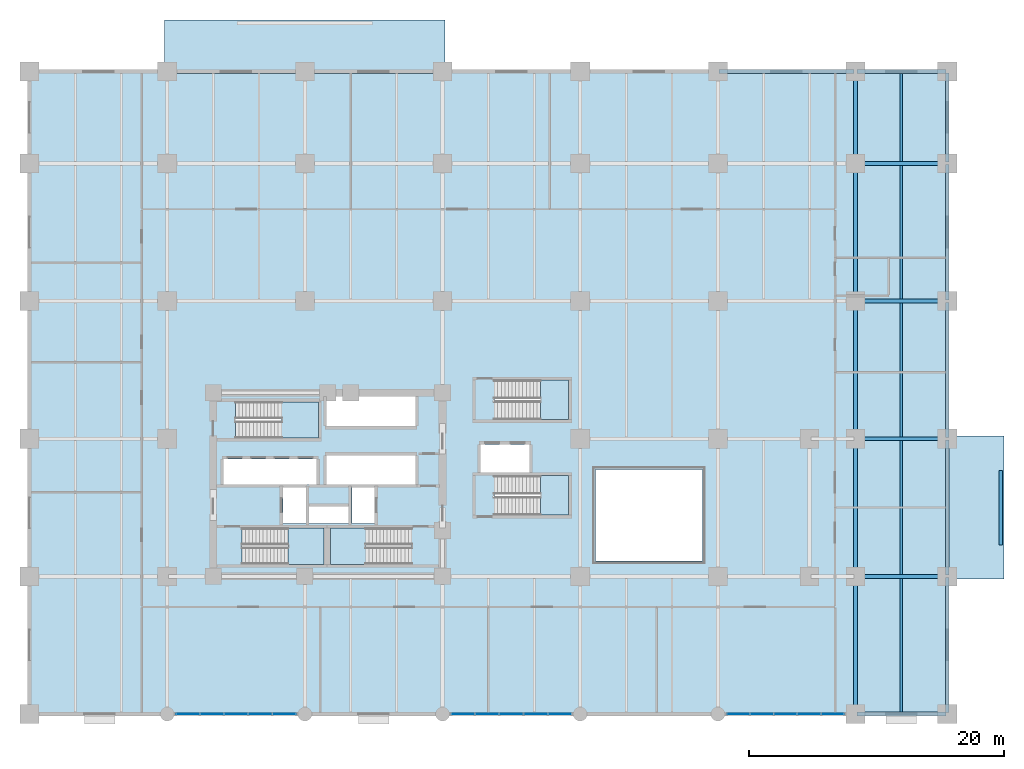
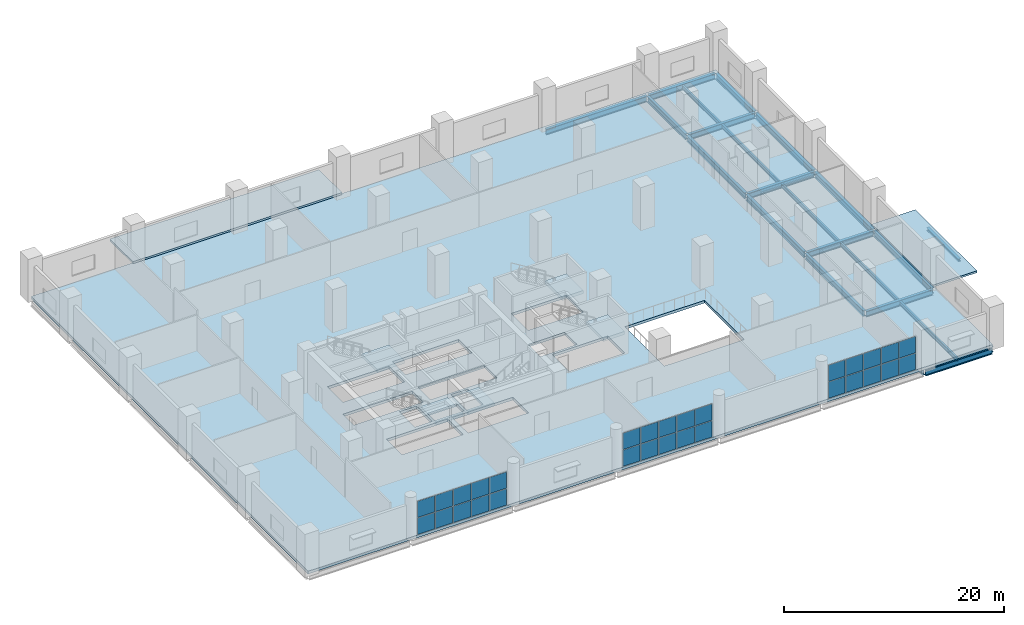
# One storey, part 9 of 16: 30 plates, 23 beams, 8 slabs, 8 elements without a shape of their own.
"""IFC4 building model written with IfcOpenShell, lengths in metres."""

from ifc_helpers import new_model, si_unit, direction, frame, origin, origin_2d, place, context, subcontext, project, spatial, polyline, rectangle, i_section, outline, extrude, material, layer, layer_set, material_profile, profile_set, type_object, element, aggregate, save


model = new_model("IFC4")

# Units and contexts
model_context = context("Model", 3, precision=1e-05, world=origin(), true_north=direction((0.0, 1.0)))
body_context = subcontext(model_context, "Body", "Model", "MODEL_VIEW")
ifc_project = project(units=[si_unit("LENGTHUNIT", "METRE"), si_unit("AREAUNIT", "SQUARE_METRE"), si_unit("VOLUMEUNIT", "CUBIC_METRE"), si_unit("PLANEANGLEUNIT", "RADIAN"), si_unit("MASSUNIT", "GRAM", prefix="KILO")], contexts=[model_context])

# Site, building, storey
site_placement = place(None, origin())
site = spatial("IfcSite", under=ifc_project, at=site_placement, CompositionType="ELEMENT")
building_placement = place(site_placement, origin())
building = spatial("IfcBuilding", under=site, at=building_placement, Name="Solnavia Interchange Tower", CompositionType="ELEMENT")
storey_placement = place(building_placement, frame((0.0, 0.0, 5.39990234375)))
storey = spatial("IfcBuildingStorey", under=building, at=storey_placement, Name="L01", CompositionType="ELEMENT", Elevation=5.39990234375)

# Beams
ifc_material_1 = material(Name="Steel S460", Category="steel")
ifc_material_profile_1 = material_profile(ifc_material_1, i_section(OverallWidth=0.300048828125, OverallDepth=0.64990234375, WebThickness=0.01611328125, FlangeThickness=0.031005859375, FilletRadius=0.027099609375, at=origin_2d()), Name="HEB 650")
ifc_profile_set_1 = profile_set([ifc_material_profile_1], Name="Steel S460")
beam_type_1 = type_object("IfcBeamType", Name="Beam-Girder-HEB650", PredefinedType="BEAM", material=ifc_profile_set_1)
for number, where, z_axis, x_axis, name in (
    (1, (64.89990234375, 0.0, -0.625), (1.0, 0.0, 0.0), (0.0, 1.0, 0.0), "GRD-L01-07 Podium primary girder"),
    (2, (64.89990234375, 10.800048828125, -0.625), (1.0, 0.0, 0.0), (0.0, 1.0, 0.0), "GRD-L01-16 Podium primary girder"),
    (3, (64.89990234375, 21.60009765625, -0.625), (1.0, 0.0, 0.0), (0.0, 1.0, 0.0), "GRD-L01-21 Podium primary girder"),
    (4, (64.89990234375, 32.39990234375, -0.625), (1.0, 0.0, 0.0), (0.0, 1.0, 0.0), "GRD-L01-29 Podium primary girder"),
    (5, (64.89990234375, 43.199951171875, -0.625), (1.0, 0.0, 0.0), (0.0, 1.0, 0.0), "GRD-L01-36 Podium primary girder"),
):
    element("IfcBeam", number, at=place(storey_placement, frame(where, z_axis=z_axis, x_axis=x_axis)), inside=storey, type_object=beam_type_1, Name=name, PredefinedType="BEAM", context=body_context, shape_type="SweptSolid", body=[
        extrude(i_section(OverallWidth=0.300048828125, OverallDepth=0.64990234375, WebThickness=0.01611328125, FlangeThickness=0.031005859375, FilletRadius=0.027099609375, at=origin_2d()), origin(), (0.0, 0.0, 1.0), 7.0),
    ])
beam_1_placement = place(storey_placement, frame((54.10009765625, 50.39990234375, -0.625), z_axis=(1.0, 0.0, 0.0), x_axis=(0.0, 1.0, 0.0)))
element("IfcBeam", 6, at=beam_1_placement, inside=storey, type_object=beam_type_1, Name="GRD-L01-42 Podium primary girder", PredefinedType="BEAM", context=body_context, shape_type="SweptSolid", body=[
    extrude(i_section(OverallWidth=0.300048828125, OverallDepth=0.64990234375, WebThickness=0.01611328125, FlangeThickness=0.031005859375, FilletRadius=0.027099609375, at=origin_2d()), origin(), (0.0, 0.0, 1.0), 10.599853515625),
])
beam_2_placement = place(storey_placement, frame((64.89990234375, 50.39990234375, -0.625), z_axis=(1.0, 0.0, 0.0), x_axis=(0.0, 1.0, 0.0)))
element("IfcBeam", 7, at=beam_2_placement, inside=storey, type_object=beam_type_1, Name="GRD-L01-43 Podium primary girder", PredefinedType="BEAM", context=body_context, shape_type="SweptSolid", body=[
    extrude(i_section(OverallWidth=0.300048828125, OverallDepth=0.64990234375, WebThickness=0.01611328125, FlangeThickness=0.031005859375, FilletRadius=0.027099609375, at=origin_2d()), origin(), (0.0, 0.0, 1.0), 7.0),
])
beam_3_placement = place(storey_placement, frame((64.800048828125, 0.10009765625, -0.625), z_axis=(0.0, 1.0, 0.0), x_axis=(-1.0, 0.0, 0.0)))
element("IfcBeam", 8, at=beam_3_placement, inside=storey, type_object=beam_type_1, Name="GRD-L01-73 Podium primary girder", PredefinedType="BEAM", context=body_context, shape_type="SweptSolid", body=[
    extrude(i_section(OverallWidth=0.300048828125, OverallDepth=0.64990234375, WebThickness=0.01611328125, FlangeThickness=0.031005859375, FilletRadius=0.027099609375, at=origin_2d()), origin(), (0.0, 0.0, 1.0), 10.599853515625),
])
for number, where, z_axis, x_axis, name in (
    (9, (64.800048828125, 10.89990234375, -0.625), (0.0, 1.0, 0.0), (-1.0, 0.0, 0.0), "GRD-L01-74 Podium primary girder"),
    (10, (64.800048828125, 21.699951171875, -0.625), (0.0, 1.0, 0.0), (-1.0, 0.0, 0.0), "GRD-L01-75 Podium primary girder"),
    (11, (64.800048828125, 32.5, -0.625), (0.0, 1.0, 0.0), (-1.0, 0.0, 0.0), "GRD-L01-76 Podium primary girder"),
):
    element("IfcBeam", number, at=place(storey_placement, frame(where, z_axis=z_axis, x_axis=x_axis)), inside=storey, type_object=beam_type_1, Name=name, PredefinedType="BEAM", context=body_context, shape_type="SweptSolid", body=[
        extrude(i_section(OverallWidth=0.300048828125, OverallDepth=0.64990234375, WebThickness=0.01611328125, FlangeThickness=0.031005859375, FilletRadius=0.027099609375, at=origin_2d()), origin(), (0.0, 0.0, 1.0), 10.60009765625),
    ])
beam_4_placement = place(storey_placement, frame((64.800048828125, 43.300048828125, -0.625), z_axis=(0.0, 1.0, 0.0), x_axis=(-1.0, 0.0, 0.0)))
element("IfcBeam", 12, at=beam_4_placement, inside=storey, type_object=beam_type_1, Name="GRD-L01-77 Podium primary girder", PredefinedType="BEAM", context=body_context, shape_type="SweptSolid", body=[
    extrude(i_section(OverallWidth=0.300048828125, OverallDepth=0.64990234375, WebThickness=0.01611328125, FlangeThickness=0.031005859375, FilletRadius=0.027099609375, at=origin_2d()), origin(), (0.0, 0.0, 1.0), 7.0),
])
beam_5_placement = place(storey_placement, frame((72.0, 0.10009765625, -0.625), z_axis=(0.0, 1.0, 0.0), x_axis=(-1.0, 0.0, 0.0)))
element("IfcBeam", 13, at=beam_5_placement, inside=storey, type_object=beam_type_1, Name="GRD-L01-78 Podium primary girder", PredefinedType="BEAM", context=body_context, shape_type="SweptSolid", body=[
    extrude(i_section(OverallWidth=0.300048828125, OverallDepth=0.64990234375, WebThickness=0.01611328125, FlangeThickness=0.031005859375, FilletRadius=0.027099609375, at=origin_2d()), origin(), (0.0, 0.0, 1.0), 10.599853515625),
])
for number, where, z_axis, x_axis, name in (
    (14, (72.0, 10.89990234375, -0.625), (0.0, 1.0, 0.0), (-1.0, 0.0, 0.0), "GRD-L01-79 Podium primary girder"),
    (15, (72.0, 21.699951171875, -0.625), (0.0, 1.0, 0.0), (-1.0, 0.0, 0.0), "GRD-L01-80 Podium primary girder"),
    (16, (72.0, 32.5, -0.625), (0.0, 1.0, 0.0), (-1.0, 0.0, 0.0), "GRD-L01-81 Podium primary girder"),
):
    element("IfcBeam", number, at=place(storey_placement, frame(where, z_axis=z_axis, x_axis=x_axis)), inside=storey, type_object=beam_type_1, Name=name, PredefinedType="BEAM", context=body_context, shape_type="SweptSolid", body=[
        extrude(i_section(OverallWidth=0.300048828125, OverallDepth=0.64990234375, WebThickness=0.01611328125, FlangeThickness=0.031005859375, FilletRadius=0.027099609375, at=origin_2d()), origin(), (0.0, 0.0, 1.0), 10.60009765625),
    ])
beam_6_placement = place(storey_placement, frame((72.0, 43.300048828125, -0.625), z_axis=(0.0, 1.0, 0.0), x_axis=(-1.0, 0.0, 0.0)))
element("IfcBeam", 17, at=beam_6_placement, inside=storey, type_object=beam_type_1, Name="GRD-L01-82 Podium primary girder", PredefinedType="BEAM", context=body_context, shape_type="SweptSolid", body=[
    extrude(i_section(OverallWidth=0.300048828125, OverallDepth=0.64990234375, WebThickness=0.01611328125, FlangeThickness=0.031005859375, FilletRadius=0.027099609375, at=origin_2d()), origin(), (0.0, 0.0, 1.0), 7.0),
])
ifc_material_2 = material(Name="Steel S355", Category="steel")
ifc_material_profile_2 = material_profile(ifc_material_2, i_section(OverallWidth=0.18994140625, OverallDepth=0.449951171875, WebThickness=0.009521484375, FlangeThickness=0.0146484375, FilletRadius=0.02099609375, at=origin_2d()), Name="IPE 450")
ifc_profile_set_2 = profile_set([ifc_material_profile_2], Name="Steel S355")
beam_type_2 = type_object("IfcBeamType", Name="Beam-Joist-IPE450", PredefinedType="JOIST", material=ifc_profile_set_2)
for number, where, z_axis, x_axis, name in (
    (18, (68.39990234375, 0.14990234375, -0.52490234375), (0.0, 1.0, 0.0), (-1.0, 0.0, 0.0), "JST-L01-40 Podium composite floor joist"),
    (19, (68.39990234375, 10.949951171875, -0.52490234375), (0.0, 1.0, 0.0), (-1.0, 0.0, 0.0), "JST-L01-41 Podium composite floor joist"),
    (20, (68.39990234375, 21.75, -0.52490234375), (0.0, 1.0, 0.0), (-1.0, 0.0, 0.0), "JST-L01-42 Podium composite floor joist"),
    (21, (68.39990234375, 32.550048828125, -0.52490234375), (0.0, 1.0, 0.0), (-1.0, 0.0, 0.0), "JST-L01-43 Podium composite floor joist"),
):
    element("IfcBeam", number, at=place(storey_placement, frame(where, z_axis=z_axis, x_axis=x_axis)), inside=storey, type_object=beam_type_2, Name=name, PredefinedType="JOIST", context=body_context, shape_type="SweptSolid", body=[
        extrude(i_section(OverallWidth=0.18994140625, OverallDepth=0.449951171875, WebThickness=0.009521484375, FlangeThickness=0.0146484375, FilletRadius=0.02099609375, at=origin_2d()), origin(), (0.0, 0.0, 1.0), 10.5),
    ])
beam_7_placement = place(storey_placement, frame((68.39990234375, 43.35009765625, -0.52490234375), z_axis=(0.0, 1.0, 0.0), x_axis=(-1.0, 0.0, 0.0)))
element("IfcBeam", 22, at=beam_7_placement, inside=storey, type_object=beam_type_2, Name="JST-L01-44 Podium composite floor joist", PredefinedType="JOIST", context=body_context, shape_type="SweptSolid", body=[
    extrude(i_section(OverallWidth=0.18994140625, OverallDepth=0.449951171875, WebThickness=0.009521484375, FlangeThickness=0.0146484375, FilletRadius=0.02099609375, at=origin_2d()), origin(), (0.0, 0.0, 1.0), 6.89990234375),
])
ifc_material_profile_3 = material_profile(ifc_material_2, i_section(OverallWidth=0.300048828125, OverallDepth=0.31005859375, WebThickness=0.009033203125, FlangeThickness=0.015380859375, FilletRadius=0.027099609375, at=origin_2d()), Name="HEA 320")
ifc_profile_set_3 = profile_set([ifc_material_profile_3], Name="Steel S355")
beam_type_3 = type_object("IfcBeamType", Name="Beam-Primary-HEA320", PredefinedType="BEAM", material=ifc_profile_set_3)
beam_8_placement = place(storey_placement, frame((76.199951171875, 13.280029296875, -0.15478515625), z_axis=(0.0, 1.0, 0.0), x_axis=(-1.0, 0.0, 0.0)))
element("IfcBeam", 23, at=beam_8_placement, inside=storey, type_object=beam_type_3, Name="GRD-L01-CANE0 East canopy edge beam", PredefinedType="BEAM", context=body_context, shape_type="SweptSolid", body=[
    extrude(i_section(OverallWidth=0.300048828125, OverallDepth=0.31005859375, WebThickness=0.009033203125, FlangeThickness=0.015380859375, FilletRadius=0.027099609375, at=origin_2d()), origin(), (0.0, 0.0, 1.0), 5.840087890625),
])

# Curtain wall, plates
ifc_material_3 = material(Name="Aluminium Alloy 6063-T6", Category="aluminium")
ifc_layer_1 = layer(ifc_material_3, 0.27001953125)
ifc_layer_set_1 = layer_set([ifc_layer_1], Name="Aluminium Alloy 6063-T6")
curtain_wall_type = type_object("IfcCurtainWallType", Name="CurtainWall-Podium-CTW1", PredefinedType="NOTDEFINED", material=ifc_layer_set_1)
curtain_wall_1_placement = place(storey_placement, origin())
curtain_wall_1 = element("IfcCurtainWall", 24, at=curtain_wall_1_placement, inside=storey, type_object=curtain_wall_type, Name="CTW-L01-S02 CTW-1 curtain wall", PredefinedType="NOTDEFINED")
ifc_material_4 = material(Name="Double-Glazed Low-E IGU Glass", Category="glass")
ifc_layer_2 = layer(ifc_material_4, 0.028076171875)
ifc_layer_set_2 = layer_set([ifc_layer_2], Name="Double-Glazed Low-E IGU Glass")
plate_type = type_object("IfcPlateType", Name="CW-Panel-Glazed-28", PredefinedType="CURTAIN_PANEL", material=ifc_layer_set_2)
plate_1_placement = place(storey_placement, frame((19.988037109375, 0.0, 0.070068359375), z_axis=(0.0, 0.0, 1.0), x_axis=(-1.0, 0.0, 0.0)))
plate_1 = element("IfcPlate", 25, at=plate_1_placement, type_object=plate_type, Name="CTW-1 panel 1.1", PredefinedType="CURTAIN_PANEL", context=body_context, shape_type="SweptSolid", body=[
    extrude(rectangle(XDim=1.783935546875, YDim=0.028076171875, at=origin_2d()), origin(), (0.0, 0.0, 1.0), 1.81005859375),
])
plate_2_placement = place(storey_placement, frame((19.988037109375, 0.0, 1.949951171875), z_axis=(0.0, 0.0, 1.0), x_axis=(-1.0, 0.0, 0.0)))
plate_2 = element("IfcPlate", 26, at=plate_2_placement, type_object=plate_type, Name="CTW-1 panel 1.2", PredefinedType="CURTAIN_PANEL", context=body_context, shape_type="SweptSolid", body=[
    extrude(rectangle(XDim=1.783935546875, YDim=0.028076171875, at=origin_2d()), origin(), (0.0, 0.0, 1.0), 1.81005859375),
])
plate_3_placement = place(storey_placement, frame((18.10400390625, 0.0, 0.070068359375), z_axis=(0.0, 0.0, 1.0), x_axis=(-1.0, 0.0, 0.0)))
plate_3 = element("IfcPlate", 27, at=plate_3_placement, type_object=plate_type, Name="CTW-1 panel 2.1", PredefinedType="CURTAIN_PANEL", context=body_context, shape_type="SweptSolid", body=[
    extrude(rectangle(XDim=1.823974609375, YDim=0.028076171875, at=origin_2d()), origin(), (0.0, 0.0, 1.0), 1.81005859375),
])
plate_4_placement = place(storey_placement, frame((18.10400390625, 0.0, 1.949951171875), z_axis=(0.0, 0.0, 1.0), x_axis=(-1.0, 0.0, 0.0)))
plate_4 = element("IfcPlate", 28, at=plate_4_placement, type_object=plate_type, Name="CTW-1 panel 2.2", PredefinedType="CURTAIN_PANEL", context=body_context, shape_type="SweptSolid", body=[
    extrude(rectangle(XDim=1.823974609375, YDim=0.028076171875, at=origin_2d()), origin(), (0.0, 0.0, 1.0), 1.81005859375),
])
plate_5_placement = place(storey_placement, frame((16.199951171875, 0.0, 0.070068359375), z_axis=(0.0, 0.0, 1.0), x_axis=(-1.0, 0.0, 0.0)))
plate_5 = element("IfcPlate", 29, at=plate_5_placement, type_object=plate_type, Name="CTW-1 panel 3.1", PredefinedType="CURTAIN_PANEL", context=body_context, shape_type="SweptSolid", body=[
    extrude(rectangle(XDim=1.823974609375, YDim=0.028076171875, at=origin_2d()), origin(), (0.0, 0.0, 1.0), 1.81005859375),
])
plate_6_placement = place(storey_placement, frame((16.199951171875, 0.0, 1.949951171875), z_axis=(0.0, 0.0, 1.0), x_axis=(-1.0, 0.0, 0.0)))
plate_6 = element("IfcPlate", 30, at=plate_6_placement, type_object=plate_type, Name="CTW-1 panel 3.2", PredefinedType="CURTAIN_PANEL", context=body_context, shape_type="SweptSolid", body=[
    extrude(rectangle(XDim=1.823974609375, YDim=0.028076171875, at=origin_2d()), origin(), (0.0, 0.0, 1.0), 1.81005859375),
])
plate_7_placement = place(storey_placement, frame((14.2958984375, 0.0, 0.070068359375), z_axis=(0.0, 0.0, 1.0), x_axis=(-1.0, 0.0, 0.0)))
plate_7 = element("IfcPlate", 31, at=plate_7_placement, type_object=plate_type, Name="CTW-1 panel 4.1", PredefinedType="CURTAIN_PANEL", context=body_context, shape_type="SweptSolid", body=[
    extrude(rectangle(XDim=1.823974609375, YDim=0.028076171875, at=origin_2d()), origin(), (0.0, 0.0, 1.0), 1.81005859375),
])
plate_8_placement = place(storey_placement, frame((14.2958984375, 0.0, 1.949951171875), z_axis=(0.0, 0.0, 1.0), x_axis=(-1.0, 0.0, 0.0)))
plate_8 = element("IfcPlate", 32, at=plate_8_placement, type_object=plate_type, Name="CTW-1 panel 4.2", PredefinedType="CURTAIN_PANEL", context=body_context, shape_type="SweptSolid", body=[
    extrude(rectangle(XDim=1.823974609375, YDim=0.028076171875, at=origin_2d()), origin(), (0.0, 0.0, 1.0), 1.81005859375),
])
plate_9_placement = place(storey_placement, frame((12.412109375, 0.0, 0.070068359375), z_axis=(0.0, 0.0, 1.0), x_axis=(-1.0, 0.0, 0.0)))
plate_9 = element("IfcPlate", 33, at=plate_9_placement, type_object=plate_type, Name="CTW-1 panel 5.1", PredefinedType="CURTAIN_PANEL", context=body_context, shape_type="SweptSolid", body=[
    extrude(rectangle(XDim=1.783935546875, YDim=0.028076171875, at=origin_2d()), origin(), (0.0, 0.0, 1.0), 1.81005859375),
])
plate_10_placement = place(storey_placement, frame((12.412109375, 0.0, 1.949951171875), z_axis=(0.0, 0.0, 1.0), x_axis=(-1.0, 0.0, 0.0)))
plate_10 = element("IfcPlate", 34, at=plate_10_placement, type_object=plate_type, Name="CTW-1 panel 5.2", PredefinedType="CURTAIN_PANEL", context=body_context, shape_type="SweptSolid", body=[
    extrude(rectangle(XDim=1.783935546875, YDim=0.028076171875, at=origin_2d()), origin(), (0.0, 0.0, 1.0), 1.81005859375),
])
aggregate(curtain_wall_1, [plate_1, plate_2, plate_3, plate_4, plate_5, plate_6, plate_7, plate_8, plate_9, plate_10])

curtain_wall_2_placement = place(storey_placement, origin())
curtain_wall_2 = element("IfcCurtainWall", 35, at=curtain_wall_2_placement, inside=storey, type_object=curtain_wall_type, Name="CTW-L01-S04 CTW-1 curtain wall", PredefinedType="NOTDEFINED")
plate_11_placement = place(storey_placement, frame((41.587890625, 0.0, 0.070068359375), z_axis=(0.0, 0.0, 1.0), x_axis=(-1.0, 0.0, 0.0)))
plate_11 = element("IfcPlate", 36, at=plate_11_placement, type_object=plate_type, Name="CTW-1 panel 1.1", PredefinedType="CURTAIN_PANEL", context=body_context, shape_type="SweptSolid", body=[
    extrude(rectangle(XDim=1.783935546875, YDim=0.028076171875, at=origin_2d()), origin(), (0.0, 0.0, 1.0), 1.81005859375),
])
plate_12_placement = place(storey_placement, frame((41.587890625, 0.0, 1.949951171875), z_axis=(0.0, 0.0, 1.0), x_axis=(-1.0, 0.0, 0.0)))
plate_12 = element("IfcPlate", 37, at=plate_12_placement, type_object=plate_type, Name="CTW-1 panel 1.2", PredefinedType="CURTAIN_PANEL", context=body_context, shape_type="SweptSolid", body=[
    extrude(rectangle(XDim=1.783935546875, YDim=0.028076171875, at=origin_2d()), origin(), (0.0, 0.0, 1.0), 1.81005859375),
])
plate_13_placement = place(storey_placement, frame((39.7041015625, 0.0, 0.070068359375), z_axis=(0.0, 0.0, 1.0), x_axis=(-1.0, 0.0, 0.0)))
plate_13 = element("IfcPlate", 38, at=plate_13_placement, type_object=plate_type, Name="CTW-1 panel 2.1", PredefinedType="CURTAIN_PANEL", context=body_context, shape_type="SweptSolid", body=[
    extrude(rectangle(XDim=1.823974609375, YDim=0.028076171875, at=origin_2d()), origin(), (0.0, 0.0, 1.0), 1.81005859375),
])
plate_14_placement = place(storey_placement, frame((39.7041015625, 0.0, 1.949951171875), z_axis=(0.0, 0.0, 1.0), x_axis=(-1.0, 0.0, 0.0)))
plate_14 = element("IfcPlate", 39, at=plate_14_placement, type_object=plate_type, Name="CTW-1 panel 2.2", PredefinedType="CURTAIN_PANEL", context=body_context, shape_type="SweptSolid", body=[
    extrude(rectangle(XDim=1.823974609375, YDim=0.028076171875, at=origin_2d()), origin(), (0.0, 0.0, 1.0), 1.81005859375),
])
plate_15_placement = place(storey_placement, frame((37.800048828125, 0.0, 0.070068359375), z_axis=(0.0, 0.0, 1.0), x_axis=(-1.0, 0.0, 0.0)))
plate_15 = element("IfcPlate", 40, at=plate_15_placement, type_object=plate_type, Name="CTW-1 panel 3.1", PredefinedType="CURTAIN_PANEL", context=body_context, shape_type="SweptSolid", body=[
    extrude(rectangle(XDim=1.823974609375, YDim=0.028076171875, at=origin_2d()), origin(), (0.0, 0.0, 1.0), 1.81005859375),
])
plate_16_placement = place(storey_placement, frame((37.800048828125, 0.0, 1.949951171875), z_axis=(0.0, 0.0, 1.0), x_axis=(-1.0, 0.0, 0.0)))
plate_16 = element("IfcPlate", 41, at=plate_16_placement, type_object=plate_type, Name="CTW-1 panel 3.2", PredefinedType="CURTAIN_PANEL", context=body_context, shape_type="SweptSolid", body=[
    extrude(rectangle(XDim=1.823974609375, YDim=0.028076171875, at=origin_2d()), origin(), (0.0, 0.0, 1.0), 1.81005859375),
])
plate_17_placement = place(storey_placement, frame((35.89599609375, 0.0, 0.070068359375), z_axis=(0.0, 0.0, 1.0), x_axis=(-1.0, 0.0, 0.0)))
plate_17 = element("IfcPlate", 42, at=plate_17_placement, type_object=plate_type, Name="CTW-1 panel 4.1", PredefinedType="CURTAIN_PANEL", context=body_context, shape_type="SweptSolid", body=[
    extrude(rectangle(XDim=1.823974609375, YDim=0.028076171875, at=origin_2d()), origin(), (0.0, 0.0, 1.0), 1.81005859375),
])
plate_18_placement = place(storey_placement, frame((35.89599609375, 0.0, 1.949951171875), z_axis=(0.0, 0.0, 1.0), x_axis=(-1.0, 0.0, 0.0)))
plate_18 = element("IfcPlate", 43, at=plate_18_placement, type_object=plate_type, Name="CTW-1 panel 4.2", PredefinedType="CURTAIN_PANEL", context=body_context, shape_type="SweptSolid", body=[
    extrude(rectangle(XDim=1.823974609375, YDim=0.028076171875, at=origin_2d()), origin(), (0.0, 0.0, 1.0), 1.81005859375),
])
plate_19_placement = place(storey_placement, frame((34.011962890625, 0.0, 0.070068359375), z_axis=(0.0, 0.0, 1.0), x_axis=(-1.0, 0.0, 0.0)))
plate_19 = element("IfcPlate", 44, at=plate_19_placement, type_object=plate_type, Name="CTW-1 panel 5.1", PredefinedType="CURTAIN_PANEL", context=body_context, shape_type="SweptSolid", body=[
    extrude(rectangle(XDim=1.783935546875, YDim=0.028076171875, at=origin_2d()), origin(), (0.0, 0.0, 1.0), 1.81005859375),
])
plate_20_placement = place(storey_placement, frame((34.011962890625, 0.0, 1.949951171875), z_axis=(0.0, 0.0, 1.0), x_axis=(-1.0, 0.0, 0.0)))
plate_20 = element("IfcPlate", 45, at=plate_20_placement, type_object=plate_type, Name="CTW-1 panel 5.2", PredefinedType="CURTAIN_PANEL", context=body_context, shape_type="SweptSolid", body=[
    extrude(rectangle(XDim=1.783935546875, YDim=0.028076171875, at=origin_2d()), origin(), (0.0, 0.0, 1.0), 1.81005859375),
])
aggregate(curtain_wall_2, [plate_11, plate_12, plate_13, plate_14, plate_15, plate_16, plate_17, plate_18, plate_19, plate_20])

curtain_wall_3_placement = place(storey_placement, origin())
curtain_wall_3 = element("IfcCurtainWall", 46, at=curtain_wall_3_placement, inside=storey, type_object=curtain_wall_type, Name="CTW-L01-S06 CTW-1 curtain wall", PredefinedType="NOTDEFINED")
plate_21_placement = place(storey_placement, frame((63.008056640625, 0.0, 0.070068359375), z_axis=(0.0, 0.0, 1.0), x_axis=(-1.0, 0.0, 0.0)))
plate_21 = element("IfcPlate", 47, at=plate_21_placement, type_object=plate_type, Name="CTW-1 panel 1.1", PredefinedType="CURTAIN_PANEL", context=body_context, shape_type="SweptSolid", body=[
    extrude(rectangle(XDim=1.743896484375, YDim=0.028076171875, at=origin_2d()), origin(), (0.0, 0.0, 1.0), 1.81005859375),
])
plate_22_placement = place(storey_placement, frame((63.008056640625, 0.0, 1.949951171875), z_axis=(0.0, 0.0, 1.0), x_axis=(-1.0, 0.0, 0.0)))
plate_22 = element("IfcPlate", 48, at=plate_22_placement, type_object=plate_type, Name="CTW-1 panel 1.2", PredefinedType="CURTAIN_PANEL", context=body_context, shape_type="SweptSolid", body=[
    extrude(rectangle(XDim=1.743896484375, YDim=0.028076171875, at=origin_2d()), origin(), (0.0, 0.0, 1.0), 1.81005859375),
])
plate_23_placement = place(storey_placement, frame((61.1640625, 0.0, 0.070068359375), z_axis=(0.0, 0.0, 1.0), x_axis=(-1.0, 0.0, 0.0)))
plate_23 = element("IfcPlate", 49, at=plate_23_placement, type_object=plate_type, Name="CTW-1 panel 2.1", PredefinedType="CURTAIN_PANEL", context=body_context, shape_type="SweptSolid", body=[
    extrude(rectangle(XDim=1.783935546875, YDim=0.028076171875, at=origin_2d()), origin(), (0.0, 0.0, 1.0), 1.81005859375),
])
plate_24_placement = place(storey_placement, frame((61.1640625, 0.0, 1.949951171875), z_axis=(0.0, 0.0, 1.0), x_axis=(-1.0, 0.0, 0.0)))
plate_24 = element("IfcPlate", 50, at=plate_24_placement, type_object=plate_type, Name="CTW-1 panel 2.2", PredefinedType="CURTAIN_PANEL", context=body_context, shape_type="SweptSolid", body=[
    extrude(rectangle(XDim=1.783935546875, YDim=0.028076171875, at=origin_2d()), origin(), (0.0, 0.0, 1.0), 1.81005859375),
])
plate_25_placement = place(storey_placement, frame((59.300048828125, 0.0, 0.070068359375), z_axis=(0.0, 0.0, 1.0), x_axis=(-1.0, 0.0, 0.0)))
plate_25 = element("IfcPlate", 51, at=plate_25_placement, type_object=plate_type, Name="CTW-1 panel 3.1", PredefinedType="CURTAIN_PANEL", context=body_context, shape_type="SweptSolid", body=[
    extrude(rectangle(XDim=1.783935546875, YDim=0.028076171875, at=origin_2d()), origin(), (0.0, 0.0, 1.0), 1.81005859375),
])
plate_26_placement = place(storey_placement, frame((59.300048828125, 0.0, 1.949951171875), z_axis=(0.0, 0.0, 1.0), x_axis=(-1.0, 0.0, 0.0)))
plate_26 = element("IfcPlate", 52, at=plate_26_placement, type_object=plate_type, Name="CTW-1 panel 3.2", PredefinedType="CURTAIN_PANEL", context=body_context, shape_type="SweptSolid", body=[
    extrude(rectangle(XDim=1.783935546875, YDim=0.028076171875, at=origin_2d()), origin(), (0.0, 0.0, 1.0), 1.81005859375),
])
plate_27_placement = place(storey_placement, frame((57.43603515625, 0.0, 0.070068359375), z_axis=(0.0, 0.0, 1.0), x_axis=(-1.0, 0.0, 0.0)))
plate_27 = element("IfcPlate", 53, at=plate_27_placement, type_object=plate_type, Name="CTW-1 panel 4.1", PredefinedType="CURTAIN_PANEL", context=body_context, shape_type="SweptSolid", body=[
    extrude(rectangle(XDim=1.783935546875, YDim=0.028076171875, at=origin_2d()), origin(), (0.0, 0.0, 1.0), 1.81005859375),
])
plate_28_placement = place(storey_placement, frame((57.43603515625, 0.0, 1.949951171875), z_axis=(0.0, 0.0, 1.0), x_axis=(-1.0, 0.0, 0.0)))
plate_28 = element("IfcPlate", 54, at=plate_28_placement, type_object=plate_type, Name="CTW-1 panel 4.2", PredefinedType="CURTAIN_PANEL", context=body_context, shape_type="SweptSolid", body=[
    extrude(rectangle(XDim=1.783935546875, YDim=0.028076171875, at=origin_2d()), origin(), (0.0, 0.0, 1.0), 1.81005859375),
])
plate_29_placement = place(storey_placement, frame((55.592041015625, 0.0, 0.070068359375), z_axis=(0.0, 0.0, 1.0), x_axis=(-1.0, 0.0, 0.0)))
plate_29 = element("IfcPlate", 55, at=plate_29_placement, type_object=plate_type, Name="CTW-1 panel 5.1", PredefinedType="CURTAIN_PANEL", context=body_context, shape_type="SweptSolid", body=[
    extrude(rectangle(XDim=1.743896484375, YDim=0.028076171875, at=origin_2d()), origin(), (0.0, 0.0, 1.0), 1.81005859375),
])
plate_30_placement = place(storey_placement, frame((55.592041015625, 0.0, 1.949951171875), z_axis=(0.0, 0.0, 1.0), x_axis=(-1.0, 0.0, 0.0)))
plate_30 = element("IfcPlate", 56, at=plate_30_placement, type_object=plate_type, Name="CTW-1 panel 5.2", PredefinedType="CURTAIN_PANEL", context=body_context, shape_type="SweptSolid", body=[
    extrude(rectangle(XDim=1.743896484375, YDim=0.028076171875, at=origin_2d()), origin(), (0.0, 0.0, 1.0), 1.81005859375),
])
aggregate(curtain_wall_3, [plate_21, plate_22, plate_23, plate_24, plate_25, plate_26, plate_27, plate_28, plate_29, plate_30])

# Slabs
ifc_material_5 = material(Name="Concrete C40/50", Category="concrete")
ifc_layer_3 = layer(ifc_material_5, 0.219970703125)
ifc_layer_set_3 = layer_set([ifc_layer_3], Name="Concrete C40/50")
slab_type_1 = type_object("IfcSlabType", Name="Slab-Canopy-220", PredefinedType="ROOF", material=ifc_layer_set_3)
slab_1_placement = place(storey_placement, origin())
element("IfcSlab", 57, at=slab_1_placement, inside=storey, type_object=slab_type_1, Name="CNP-L01-N1 North bus interchange entrance canopy", PredefinedType="ROOF", context=body_context, shape_type="SweptSolid", body=[
    extrude(outline(polyline([(10.60009765625, 50.25), (32.60009765625, 50.25), (32.60009765625, 54.449951171875), (10.60009765625, 54.449951171875), (10.60009765625, 50.25)])), origin(), (0.0, 0.0, 1.0), 0.22021484375),
])
slab_2_placement = place(storey_placement, origin())
element("IfcSlab", 58, at=slab_2_placement, inside=storey, type_object=slab_type_1, Name="CNP-L01-E1 East harbour drop-off canopy", PredefinedType="ROOF", context=body_context, shape_type="SweptSolid", body=[
    extrude(outline(polyline([(71.85009765625, 10.60009765625), (76.449951171875, 10.60009765625), (76.449951171875, 21.800048828125), (71.85009765625, 21.800048828125), (71.85009765625, 10.60009765625)])), origin(), (0.0, 0.0, 1.0), 0.22021484375),
])
ifc_layer_4 = layer(ifc_material_5, 0.300048828125)
ifc_layer_set_4 = layer_set([ifc_layer_4], Name="Concrete C40/50")
slab_type_2 = type_object("IfcSlabType", Name="Slab-Podium-300", PredefinedType="FLOOR", material=ifc_layer_set_4)
slab_3_placement = place(storey_placement, frame((0.0, 0.0, -0.2998046875)))
element("IfcSlab", 59, at=slab_3_placement, inside=storey, type_object=slab_type_2, Name="SLB-L01-01 Structural floor slab", PredefinedType="FLOOR", context=body_context, shape_type="SweptSolid", body=[
    extrude(outline(polyline([(0.0, 0.0), (72.0, 0.0), (72.0, 50.39990234375), (0.0, 50.39990234375), (0.0, 0.0)]), holes=[polyline([(16.675048828125, 11.75), (23.10009765625, 11.75), (23.10009765625, 14.590087890625), (16.675048828125, 14.590087890625), (16.675048828125, 11.75)]), polyline([(23.60009765625, 11.75), (29.97509765625, 11.75), (29.97509765625, 14.590087890625), (23.60009765625, 14.590087890625), (23.60009765625, 11.75)]), polyline([(16.175048828125, 21.64990234375), (22.64990234375, 21.64990234375), (22.64990234375, 24.489990234375), (16.175048828125, 24.489990234375), (16.175048828125, 21.64990234375)]), polyline([(36.47509765625, 15.60009765625), (42.300048828125, 15.60009765625), (42.300048828125, 18.699951171875), (36.47509765625, 18.699951171875), (36.47509765625, 15.60009765625)]), polyline([(36.47509765625, 23.10009765625), (42.300048828125, 23.10009765625), (42.300048828125, 26.199951171875), (36.47509765625, 26.199951171875), (36.47509765625, 23.10009765625)]), polyline([(19.8798828125, 14.9599609375), (21.679931640625, 14.9599609375), (21.679931640625, 17.780029296875), (19.8798828125, 17.780029296875), (19.8798828125, 14.9599609375)]), polyline([(25.280029296875, 14.9599609375), (27.080078125, 14.9599609375), (27.080078125, 17.780029296875), (25.280029296875, 17.780029296875), (25.280029296875, 14.9599609375)]), polyline([(21.919921875, 14.9599609375), (25.02001953125, 14.9599609375), (25.02001953125, 16.280029296875), (21.919921875, 16.280029296875), (21.919921875, 14.9599609375)]), polyline([(15.219970703125, 18.02001953125), (22.52001953125, 18.02001953125), (22.52001953125, 20.0), (15.219970703125, 20.0), (15.219970703125, 18.02001953125)]), polyline([(23.300048828125, 18.02001953125), (30.280029296875, 18.02001953125), (30.280029296875, 20.300048828125), (23.300048828125, 20.300048828125), (23.300048828125, 18.02001953125)]), polyline([(23.300048828125, 22.580078125), (30.280029296875, 22.580078125), (30.280029296875, 25.0), (23.300048828125, 25.0), (23.300048828125, 22.580078125)]), polyline([(35.3798828125, 18.949951171875), (39.219970703125, 18.949951171875), (39.219970703125, 21.159912109375), (35.3798828125, 21.159912109375), (35.3798828125, 18.949951171875)]), polyline([(44.39990234375, 12.0), (52.800048828125, 12.0), (52.800048828125, 19.199951171875), (44.39990234375, 19.199951171875), (44.39990234375, 12.0)])]), origin(), (0.0, 0.0, 1.0), 0.2998046875),
])

# Stair, slab
stair_type = type_object("IfcStairType", Name="Stair-Dogleg-RC", PredefinedType="HALF_TURN_STAIR", material=ifc_material_5)
stair_1_placement = place(storey_placement, origin())
stair_1 = element("IfcStair", 60, at=stair_1_placement, inside=storey, type_object=stair_type, Name="L01 Core exit stair 1", PredefinedType="HALF_TURN_STAIR")
ifc_layer_5 = layer(ifc_material_5, 0.35009765625)
ifc_layer_set_5 = layer_set([ifc_layer_5], Name="Concrete C40/50")
slab_type_3 = type_object("IfcSlabType", Name="Slab-StairLanding-350", PredefinedType="LANDING", material=ifc_layer_set_5)
slab_4_placement = place(storey_placement, frame((0.0, 0.0, 2.050048828125)))
slab_4 = element("IfcSlab", 61, at=slab_4_placement, type_object=slab_type_3, Name="ST-1 landing 1", PredefinedType="LANDING", context=body_context, shape_type="SweptSolid", body=[
    extrude(outline(polyline([(20.26806640625, 11.75), (23.10009765625, 11.75), (23.10009765625, 14.590087890625), (20.26806640625, 14.590087890625), (20.26806640625, 11.75)])), origin(), (0.0, 0.0, 1.0), 0.35009765625),
])
aggregate(stair_1, [slab_4])

stair_2_placement = place(storey_placement, origin())
stair_2 = element("IfcStair", 62, at=stair_2_placement, inside=storey, type_object=stair_type, Name="L01 Core exit stair 2", PredefinedType="HALF_TURN_STAIR")
slab_5_placement = place(storey_placement, frame((0.0, 0.0, 2.050048828125)))
slab_5 = element("IfcSlab", 63, at=slab_5_placement, type_object=slab_type_3, Name="ST-2 landing 1", PredefinedType="LANDING", context=body_context, shape_type="SweptSolid", body=[
    extrude(outline(polyline([(23.60009765625, 11.75), (26.382080078125, 11.75), (26.382080078125, 14.590087890625), (23.60009765625, 14.590087890625), (23.60009765625, 11.75)])), origin(), (0.0, 0.0, 1.0), 0.35009765625),
])
aggregate(stair_2, [slab_5])

stair_3_placement = place(storey_placement, origin())
stair_3 = element("IfcStair", 64, at=stair_3_placement, inside=storey, type_object=stair_type, Name="L01 Core exit stair 3", PredefinedType="HALF_TURN_STAIR")
slab_6_placement = place(storey_placement, frame((0.0, 0.0, 2.050048828125)))
slab_6 = element("IfcSlab", 65, at=slab_6_placement, type_object=slab_type_3, Name="ST-3 landing 1", PredefinedType="LANDING", context=body_context, shape_type="SweptSolid", body=[
    extrude(outline(polyline([(19.76806640625, 21.64990234375), (22.64990234375, 21.64990234375), (22.64990234375, 24.489990234375), (19.76806640625, 24.489990234375), (19.76806640625, 21.64990234375)])), origin(), (0.0, 0.0, 1.0), 0.35009765625),
])
aggregate(stair_3, [slab_6])

stair_4_placement = place(storey_placement, origin())
stair_4 = element("IfcStair", 66, at=stair_4_placement, inside=storey, type_object=stair_type, Name="L01 Podium exit stair 1", PredefinedType="HALF_TURN_STAIR")
slab_7_placement = place(storey_placement, frame((0.0, 0.0, 2.050048828125)))
slab_7 = element("IfcSlab", 67, at=slab_7_placement, type_object=slab_type_3, Name="ST-P1 landing 1", PredefinedType="LANDING", context=body_context, shape_type="SweptSolid", body=[
    extrude(outline(polyline([(40.068115234375, 15.60009765625), (42.300048828125, 15.60009765625), (42.300048828125, 18.699951171875), (40.068115234375, 18.699951171875), (40.068115234375, 15.60009765625)])), origin(), (0.0, 0.0, 1.0), 0.35009765625),
])
aggregate(stair_4, [slab_7])

stair_5_placement = place(storey_placement, origin())
stair_5 = element("IfcStair", 68, at=stair_5_placement, inside=storey, type_object=stair_type, Name="L01 Podium exit stair 2", PredefinedType="HALF_TURN_STAIR")
slab_8_placement = place(storey_placement, frame((0.0, 0.0, 2.050048828125)))
slab_8 = element("IfcSlab", 69, at=slab_8_placement, type_object=slab_type_3, Name="ST-P2 landing 1", PredefinedType="LANDING", context=body_context, shape_type="SweptSolid", body=[
    extrude(outline(polyline([(40.068115234375, 23.10009765625), (42.300048828125, 23.10009765625), (42.300048828125, 26.199951171875), (40.068115234375, 26.199951171875), (40.068115234375, 23.10009765625)])), origin(), (0.0, 0.0, 1.0), 0.35009765625),
])
aggregate(stair_5, [slab_8])

save(model, "model.ifc")
